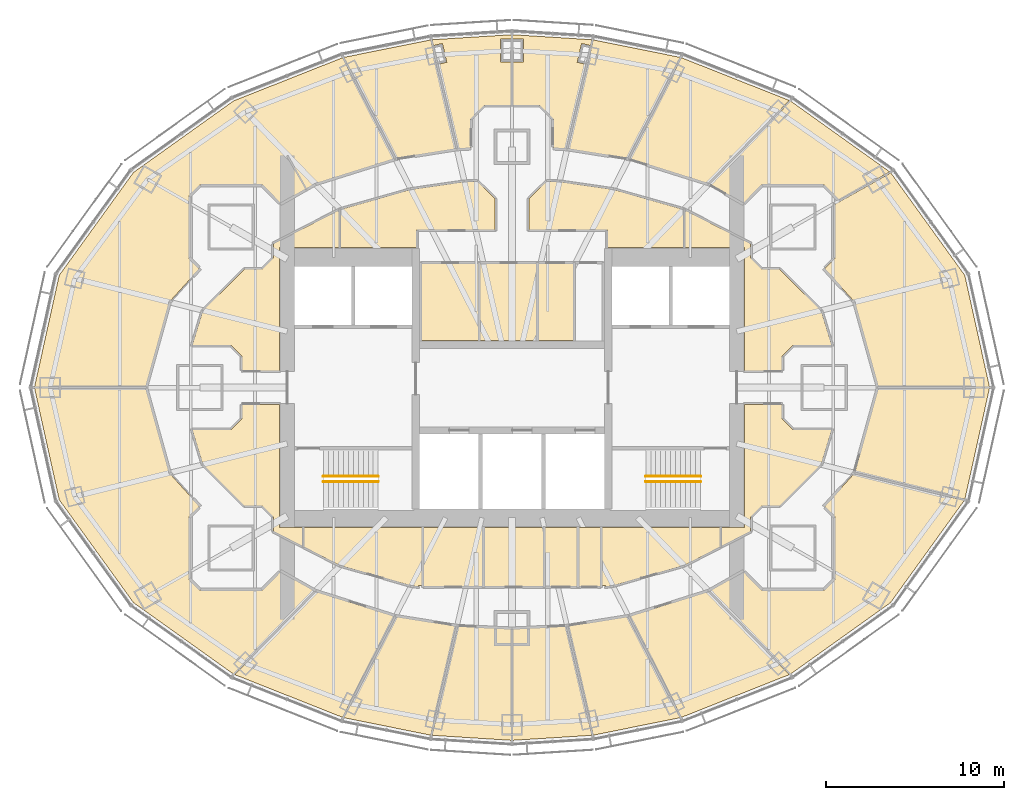
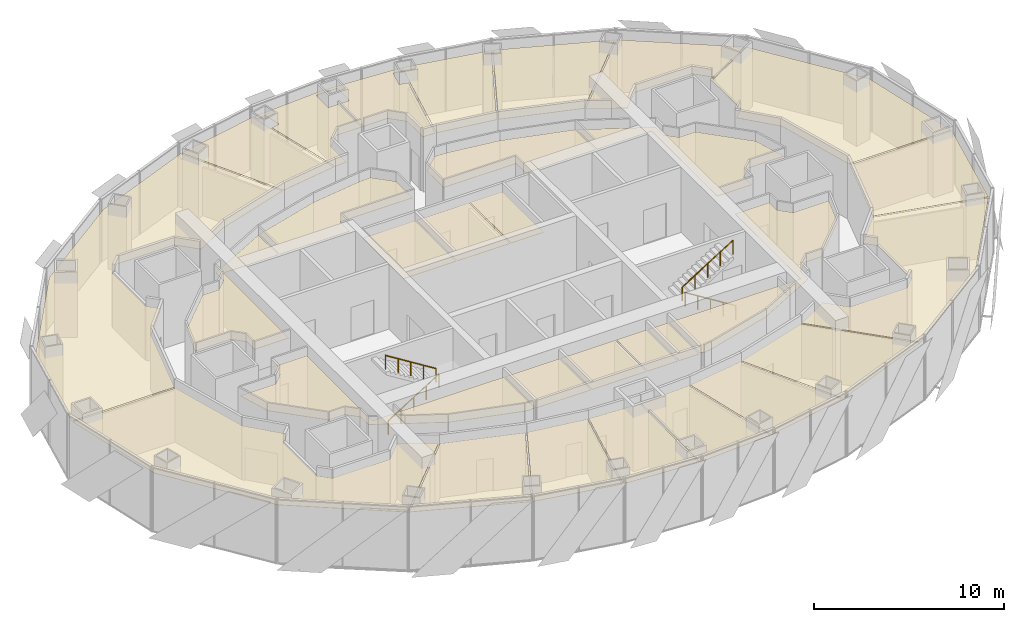
# One storey, part 18 of 18: 32 coverings, 4 railings.
"""IFC4 building model written with IfcOpenShell, lengths in metres."""

from ifc_helpers import new_model, si_unit, direction, frame, origin, origin_2d, place, context, subcontext, project, spatial, polyline, circle, outline, extrude, material, layer, layer_set, type_object, element, save


model = new_model("IFC4")

# Units and contexts
model_context = context("Model", 3, precision=1e-05, world=origin(), true_north=direction((0.0, 1.0)))
body_context = subcontext(model_context, "Body", "Model", "MODEL_VIEW")
ifc_project = project(units=[si_unit("LENGTHUNIT", "METRE"), si_unit("AREAUNIT", "SQUARE_METRE"), si_unit("VOLUMEUNIT", "CUBIC_METRE"), si_unit("PLANEANGLEUNIT", "RADIAN"), si_unit("MASSUNIT", "GRAM", prefix="KILO")], contexts=[model_context])

# Site, building, storey
site_placement = place(None, origin())
site = spatial("IfcSite", under=ifc_project, at=site_placement, CompositionType="ELEMENT")
building_placement = place(site_placement, origin())
building = spatial("IfcBuilding", under=site, at=building_placement, Name="Lantaw Convention Tower", CompositionType="ELEMENT")
storey_placement = place(building_placement, frame((0.0, 0.0, 236.800048828125)))
storey = spatial("IfcBuildingStorey", under=building, at=storey_placement, Name="L55", CompositionType="ELEMENT", Elevation=236.800048828125)

# Railings
ifc_material_1 = material(Name="Stainless steel", Category="steel")
railing_type = type_object("IfcRailingType", Name="Stair handrail", PredefinedType="HANDRAIL", material=ifc_material_1)
railing_1_placement = place(storey_placement, frame((-10.580078125, -5.280029296875, 0.175048828125)))
element("IfcRailing", 1, at=railing_1_placement, inside=storey, type_object=railing_type, Name="Stair handrail S1", PredefinedType="HANDRAIL", context=body_context, shape_type="SweptSolid", body=[
    extrude(circle(Radius=0.02392578125, at=origin_2d()), frame((0.0, 0.0, 0.8759765625), z_axis=(0.848028513186, 0.0, 0.529950602248), x_axis=(0.0, 1.0, 0.0)), (0.0, 0.0, 1.0), 3.632080078125),
    extrude(circle(Radius=0.02099609375, at=origin_2d()), origin(), (0.0, 0.0, 1.0), 0.851806640625),
    extrude(circle(Radius=0.02099609375, at=origin_2d()), frame((0.77001953125, 0.0, 0.481201171875)), (0.0, 0.0, 1.0), 0.851806640625),
    extrude(circle(Radius=0.02099609375, at=origin_2d()), frame((1.5400390625, 0.0, 0.96240234375)), (0.0, 0.0, 1.0), 0.851806640625),
    extrude(circle(Radius=0.02099609375, at=origin_2d()), frame((2.31005859375, 0.0, 1.443603515625)), (0.0, 0.0, 1.0), 0.851806640625),
    extrude(circle(Radius=0.02099609375, at=origin_2d()), frame((3.080078125, 0.0, 1.9248046875)), (0.0, 0.0, 1.0), 0.851806640625),
])
railing_2_placement = place(storey_placement, frame((-7.5, -4.97998046875, 2.27490234375)))
element("IfcRailing", 2, at=railing_2_placement, inside=storey, type_object=railing_type, Name="Stair handrail S1", PredefinedType="HANDRAIL", context=body_context, shape_type="SweptSolid", body=[
    extrude(circle(Radius=0.02392578125, at=origin_2d()), frame((0.0, 0.0, 0.8759765625), z_axis=(-0.847998304005, 0.0, 0.529998940003), x_axis=(0.0, -1.0, 0.0)), (0.0, 0.0, 1.0), 3.632080078125),
    extrude(circle(Radius=0.02099609375, at=origin_2d()), origin(), (0.0, 0.0, 1.0), 0.851806640625),
    extrude(circle(Radius=0.02099609375, at=origin_2d()), frame((-0.77001953125, 0.0, 0.481201171875)), (0.0, 0.0, 1.0), 0.851806640625),
    extrude(circle(Radius=0.02099609375, at=origin_2d()), frame((-1.5400390625, 0.0, 0.96240234375)), (0.0, 0.0, 1.0), 0.851806640625),
    extrude(circle(Radius=0.02099609375, at=origin_2d()), frame((-2.31005859375, 0.0, 1.44384765625)), (0.0, 0.0, 1.0), 0.851806640625),
    extrude(circle(Radius=0.02099609375, at=origin_2d()), frame((-3.080078125, 0.0, 1.925048828125)), (0.0, 0.0, 1.0), 0.851806640625),
])
railing_3_placement = place(storey_placement, frame((10.580078125, -5.280029296875, 0.175048828125)))
element("IfcRailing", 3, at=railing_3_placement, inside=storey, type_object=railing_type, Name="Stair handrail S2", PredefinedType="HANDRAIL", context=body_context, shape_type="SweptSolid", body=[
    extrude(circle(Radius=0.02392578125, at=origin_2d()), frame((0.0, 0.0, 0.8759765625), z_axis=(-0.848028513186, 0.0, 0.529950602248), x_axis=(0.0, -1.0, 0.0)), (0.0, 0.0, 1.0), 3.632080078125),
    extrude(circle(Radius=0.02099609375, at=origin_2d()), origin(), (0.0, 0.0, 1.0), 0.851806640625),
    extrude(circle(Radius=0.02099609375, at=origin_2d()), frame((-0.77001953125, 0.0, 0.481201171875)), (0.0, 0.0, 1.0), 0.851806640625),
    extrude(circle(Radius=0.02099609375, at=origin_2d()), frame((-1.5400390625, 0.0, 0.96240234375)), (0.0, 0.0, 1.0), 0.851806640625),
    extrude(circle(Radius=0.02099609375, at=origin_2d()), frame((-2.31005859375, 0.0, 1.443603515625)), (0.0, 0.0, 1.0), 0.851806640625),
    extrude(circle(Radius=0.02099609375, at=origin_2d()), frame((-3.080078125, 0.0, 1.9248046875)), (0.0, 0.0, 1.0), 0.851806640625),
])
railing_4_placement = place(storey_placement, frame((7.5, -4.97998046875, 2.27490234375)))
element("IfcRailing", 4, at=railing_4_placement, inside=storey, type_object=railing_type, Name="Stair handrail S2", PredefinedType="HANDRAIL", context=body_context, shape_type="SweptSolid", body=[
    extrude(circle(Radius=0.02392578125, at=origin_2d()), frame((0.0, 0.0, 0.8759765625), z_axis=(0.847998304005, 0.0, 0.529998940003), x_axis=(0.0, 1.0, 0.0)), (0.0, 0.0, 1.0), 3.632080078125),
    extrude(circle(Radius=0.02099609375, at=origin_2d()), origin(), (0.0, 0.0, 1.0), 0.851806640625),
    extrude(circle(Radius=0.02099609375, at=origin_2d()), frame((0.77001953125, 0.0, 0.481201171875)), (0.0, 0.0, 1.0), 0.851806640625),
    extrude(circle(Radius=0.02099609375, at=origin_2d()), frame((1.5400390625, 0.0, 0.96240234375)), (0.0, 0.0, 1.0), 0.851806640625),
    extrude(circle(Radius=0.02099609375, at=origin_2d()), frame((2.31005859375, 0.0, 1.44384765625)), (0.0, 0.0, 1.0), 0.851806640625),
    extrude(circle(Radius=0.02099609375, at=origin_2d()), frame((3.080078125, 0.0, 1.925048828125)), (0.0, 0.0, 1.0), 0.851806640625),
])

# Coverings
ifc_material_2 = material(Name="Gypsum board on steel suspension grid", Category="steel")
ifc_layer = layer(ifc_material_2, 0.02001953125)
ifc_layer_set = layer_set([ifc_layer], Name="Suspended ceiling")
covering_type = type_object("IfcCoveringType", Name="Suspended ceiling", PredefinedType="CEILING", material=ifc_layer_set)
covering_1_placement = place(storey_placement, frame((0.0, 0.0, 3.449951171875)))
element("IfcCovering", 5, at=covering_1_placement, inside=storey, type_object=covering_type, Name="Female WC ceiling", PredefinedType="CEILING", context=body_context, shape_type="SweptSolid", body=[
    extrude(outline(polyline([(-5.080078125, 2.639892578125), (-1.88330078125, 2.639892578125), (-1.88330078125, 6.9599609375), (-5.080078125, 6.9599609375), (-5.080078125, 2.639892578125)])), origin(), (0.0, 0.0, 1.0), 0.02001953125),
])
covering_2_placement = place(storey_placement, frame((0.0, 0.0, 3.449951171875)))
element("IfcCovering", 6, at=covering_2_placement, inside=storey, type_object=covering_type, Name="Male WC ceiling", PredefinedType="CEILING", context=body_context, shape_type="SweptSolid", body=[
    extrude(outline(polyline([(-1.80322265625, 2.639892578125), (1.3935546875, 2.639892578125), (1.3935546875, 6.9599609375), (-1.80322265625, 6.9599609375), (-1.80322265625, 2.639892578125)])), origin(), (0.0, 0.0, 1.0), 0.02001953125),
])
covering_3_placement = place(storey_placement, frame((0.0, 0.0, 3.449951171875)))
element("IfcCovering", 7, at=covering_3_placement, inside=storey, type_object=covering_type, Name="Accessible WC ceiling", PredefinedType="CEILING", context=body_context, shape_type="SweptSolid", body=[
    extrude(outline(polyline([(1.4736328125, 2.639892578125), (3.441650390625, 2.639892578125), (3.441650390625, 6.9599609375), (1.4736328125, 6.9599609375), (1.4736328125, 2.639892578125)])), origin(), (0.0, 0.0, 1.0), 0.02001953125),
])
covering_4_placement = place(storey_placement, frame((0.0, 0.0, 3.449951171875)))
element("IfcCovering", 8, at=covering_4_placement, inside=storey, type_object=covering_type, Name="Female WC ceiling", PredefinedType="CEILING", context=body_context, shape_type="SweptSolid", body=[
    extrude(outline(polyline([(-4.9599609375, -11.159912109375), (-1.639892578125, -11.159912109375), (-1.639892578125, -7.840087890625), (-4.9599609375, -7.840087890625), (-4.9599609375, -11.159912109375)])), origin(), (0.0, 0.0, 1.0), 0.02001953125),
])
covering_5_placement = place(storey_placement, frame((0.0, 0.0, 3.449951171875)))
element("IfcCovering", 9, at=covering_5_placement, inside=storey, type_object=covering_type, Name="Male WC ceiling", PredefinedType="CEILING", context=body_context, shape_type="SweptSolid", body=[
    extrude(outline(polyline([(-1.56005859375, -11.159912109375), (1.760009765625, -11.159912109375), (1.760009765625, -7.840087890625), (-1.56005859375, -7.840087890625), (-1.56005859375, -11.159912109375)])), origin(), (0.0, 0.0, 1.0), 0.02001953125),
])
covering_6_placement = place(storey_placement, frame((0.0, 0.0, 3.449951171875)))
element("IfcCovering", 10, at=covering_6_placement, inside=storey, type_object=covering_type, Name="Accessible WC ceiling", PredefinedType="CEILING", context=body_context, shape_type="SweptSolid", body=[
    extrude(outline(polyline([(1.840087890625, -11.159912109375), (3.659912109375, -11.159912109375), (3.659912109375, -7.840087890625), (1.840087890625, -7.840087890625), (1.840087890625, -11.159912109375)])), origin(), (0.0, 0.0, 1.0), 0.02001953125),
])
covering_7_placement = place(storey_placement, frame((0.0, 0.0, 3.449951171875)))
element("IfcCovering", 11, at=covering_7_placement, inside=storey, type_object=covering_type, Name="Pantry ceiling", PredefinedType="CEILING", context=body_context, shape_type="SweptSolid", body=[
    extrude(outline(polyline([(3.739990234375, -11.159912109375), (4.9599609375, -11.159912109375), (4.9599609375, -7.840087890625), (3.739990234375, -7.840087890625), (3.739990234375, -11.159912109375)])), origin(), (0.0, 0.0, 1.0), 0.02001953125),
])
covering_8_placement = place(storey_placement, frame((0.0, 0.0, 3.449951171875)))
element("IfcCovering", 12, at=covering_8_placement, inside=storey, type_object=covering_type, Name="Meeting room ceiling", PredefinedType="CEILING", context=body_context, shape_type="SweptSolid", body=[
    extrude(outline(polyline([(-13.385009765625, -8.062255859375), (-11.75, -8.901611328125), (-11.75, -7.840087890625), (-13.0400390625, -7.840087890625), (-13.0400390625, -0.93994140625), (-15.135009765625, -0.93994140625), (-15.135009765625, -1.7412109375), (-15.7587890625, -2.364990234375), (-17.932861328125, -2.364990234375), (-17.336181640625, -4.31005859375), (-15.008056640625, -6.635009765625), (-14.0087890625, -6.635009765625), (-13.385009765625, -7.2587890625), (-13.385009765625, -8.062255859375)])), origin(), (0.0, 0.0, 1.0), 0.02001953125),
])
covering_9_placement = place(storey_placement, frame((0.0, 0.0, 3.449951171875)))
element("IfcCovering", 13, at=covering_9_placement, inside=storey, type_object=covering_type, Name="Project room ceiling", PredefinedType="CEILING", context=body_context, shape_type="SweptSolid", body=[
    extrude(outline(polyline([(-5.0400390625, -7.840087890625), (-11.669921875, -7.840087890625), (-11.669921875, -8.942626953125), (-9.65576171875, -9.9765625), (-5.67138671875, -11.108154296875), (-5.239990234375, -11.170166015625), (-5.239990234375, -11.110107421875), (-5.0400390625, -11.110107421875), (-5.0400390625, -7.840087890625)])), origin(), (0.0, 0.0, 1.0), 0.02001953125),
])
covering_10_placement = place(storey_placement, frame((0.0, 0.0, 3.449951171875)))
element("IfcCovering", 14, at=covering_10_placement, inside=storey, type_object=covering_type, Name="Tenant storage room ceiling", PredefinedType="CEILING", context=body_context, shape_type="SweptSolid", body=[
    extrude(outline(polyline([(11.669921875, -7.840087890625), (5.0400390625, -7.840087890625), (5.0400390625, -11.110107421875), (5.239990234375, -11.110107421875), (5.239990234375, -11.170166015625), (5.67138671875, -11.108154296875), (9.65576171875, -9.9765625), (11.669921875, -8.942626953125), (11.669921875, -7.840087890625)])), origin(), (0.0, 0.0, 1.0), 0.02001953125),
])
covering_11_placement = place(storey_placement, frame((0.0, 0.0, 3.449951171875)))
element("IfcCovering", 15, at=covering_11_placement, inside=storey, type_object=covering_type, Name="Meeting room ceiling", PredefinedType="CEILING", context=body_context, shape_type="SweptSolid", body=[
    extrude(outline(polyline([(15.135009765625, -0.93994140625), (13.0400390625, -0.93994140625), (13.0400390625, -7.840087890625), (11.75, -7.840087890625), (11.75, -8.901611328125), (13.385009765625, -8.062255859375), (13.385009765625, -7.2587890625), (14.0087890625, -6.635009765625), (15.008056640625, -6.635009765625), (17.336181640625, -4.31005859375), (17.932861328125, -2.364990234375), (15.7587890625, -2.364990234375), (15.135009765625, -1.7412109375), (15.135009765625, -0.93994140625)])), origin(), (0.0, 0.0, 1.0), 0.02001953125),
])
covering_12_placement = place(storey_placement, frame((0.0, 0.0, 3.449951171875)))
element("IfcCovering", 16, at=covering_12_placement, inside=storey, type_object=covering_type, Name="Copy and print room ceiling", PredefinedType="CEILING", context=body_context, shape_type="SweptSolid", body=[
    extrude(outline(polyline([(0.93994140625, 8.840087890625), (5.360107421875, 8.840087890625), (5.360107421875, 7.840087890625), (9.6201171875, 7.840087890625), (9.6201171875, 9.98681640625), (5.67138671875, 11.108154296875), (2.669677734375, 11.5400390625), (1.9462890625, 11.572509765625), (1.548828125, 11.175048828125), (1.53662109375, 11.175048828125), (0.93994140625, 10.577392578125), (0.93994140625, 8.840087890625)])), origin(), (0.0, 0.0, 1.0), 0.02001953125),
])
covering_13_placement = place(storey_placement, frame((0.0, 0.0, 3.449951171875)))
element("IfcCovering", 17, at=covering_13_placement, inside=storey, type_object=covering_type, Name="Project room ceiling", PredefinedType="CEILING", context=body_context, shape_type="SweptSolid", body=[
    extrude(outline(polyline([(13.385009765625, 8.06201171875), (9.699951171875, 9.95166015625), (9.699951171875, 7.840087890625), (13.0400390625, 7.840087890625), (13.0400390625, 0.93994140625), (15.135009765625, 0.93994140625), (15.135009765625, 1.7412109375), (15.7587890625, 2.364990234375), (17.932861328125, 2.364990234375), (17.336181640625, 4.31005859375), (15.008056640625, 6.635009765625), (14.0087890625, 6.635009765625), (13.385009765625, 7.2587890625), (13.385009765625, 8.06201171875)])), origin(), (0.0, 0.0, 1.0), 0.02001953125),
])
covering_14_placement = place(storey_placement, frame((0.0, 0.0, 3.449951171875)))
element("IfcCovering", 18, at=covering_14_placement, inside=storey, type_object=covering_type, Name="Meeting room ceiling", PredefinedType="CEILING", context=body_context, shape_type="SweptSolid", body=[
    extrude(outline(polyline([(-15.135009765625, 1.7412109375), (-15.135009765625, 0.93994140625), (-13.0400390625, 0.93994140625), (-13.0400390625, 7.840087890625), (-9.699951171875, 7.840087890625), (-9.699951171875, 9.95166015625), (-13.385009765625, 8.06201171875), (-13.385009765625, 7.2587890625), (-14.0087890625, 6.635009765625), (-15.008056640625, 6.635009765625), (-17.336181640625, 4.31005859375), (-17.932861328125, 2.364990234375), (-15.7587890625, 2.364990234375), (-15.135009765625, 1.7412109375)])), origin(), (0.0, 0.0, 1.0), 0.02001953125),
])
covering_15_placement = place(storey_placement, frame((0.0, 0.0, 3.449951171875)))
element("IfcCovering", 19, at=covering_15_placement, inside=storey, type_object=covering_type, Name="Comms room ceiling", PredefinedType="CEILING", context=body_context, shape_type="SweptSolid", body=[
    extrude(outline(polyline([(-1.9462890625, 11.572509765625), (-2.669677734375, 11.5400390625), (-5.67138671875, 11.108154296875), (-9.6201171875, 9.98681640625), (-9.6201171875, 7.840087890625), (-5.360107421875, 7.840087890625), (-5.360107421875, 8.840087890625), (-0.93994140625, 8.840087890625), (-0.93994140625, 10.577392578125), (-1.53662109375, 11.175048828125), (-1.548828125, 11.175048828125), (-1.9462890625, 11.572509765625)])), origin(), (0.0, 0.0, 1.0), 0.02001953125),
])
covering_16_placement = place(storey_placement, frame((0.0, 0.0, 3.449951171875)))
element("IfcCovering", 20, at=covering_16_placement, inside=storey, type_object=covering_type, Name="Reception ceiling", PredefinedType="CEILING", context=body_context, shape_type="SweptSolid", body=[
    extrude(outline(polyline([(17.518798828125, 6.66259765625), (19.2080078125, 4.800048828125), (20.530517578125, 0.0400390625), (26.77099609375, 0.0400390625), (25.388916015625, 6.290283203125), (21.241455078125, 12.0380859375), (18.114990234375, 10.28076171875), (18.114990234375, 7.2587890625), (17.518798828125, 6.66259765625)])), origin(), (0.0, 0.0, 1.0), 0.02001953125),
])
covering_17_placement = place(storey_placement, frame((0.0, 0.0, 3.449951171875)))
element("IfcCovering", 21, at=covering_17_placement, inside=storey, type_object=covering_type, Name="Private office ceiling", PredefinedType="CEILING", context=body_context, shape_type="SweptSolid", body=[
    extrude(outline(polyline([(13.385009765625, 10.72900390625), (13.385009765625, 10.7412109375), (14.0087890625, 11.364990234375), (17.4912109375, 11.364990234375), (18.114990234375, 10.7412109375), (18.114990234375, 10.72900390625), (18.34375, 10.501220703125), (21.178466796875, 12.094482421875), (15.62890625, 16.059326171875), (11.065673828125, 11.400634765625), (12.973388671875, 10.318115234375), (13.385009765625, 10.72900390625)])), origin(), (0.0, 0.0, 1.0), 0.02001953125),
])
covering_18_placement = place(storey_placement, frame((0.0, 0.0, 3.449951171875)))
element("IfcCovering", 22, at=covering_18_placement, inside=storey, type_object=covering_type, Name="Private office ceiling", PredefinedType="CEILING", context=body_context, shape_type="SweptSolid", body=[
    extrude(outline(polyline([(10.9892578125, 11.43701171875), (15.553466796875, 16.096923828125), (9.503173828125, 18.49267578125), (6.57861328125, 12.82275390625), (10.9892578125, 11.43701171875)])), origin(), (0.0, 0.0, 1.0), 0.02001953125),
])
covering_19_placement = place(storey_placement, frame((0.0, 0.0, 3.449951171875)))
element("IfcCovering", 23, at=covering_19_placement, inside=storey, type_object=covering_type, Name="Private office ceiling", PredefinedType="CEILING", context=body_context, shape_type="SweptSolid", body=[
    extrude(outline(polyline([(6.4990234375, 12.8427734375), (9.42431640625, 18.514404296875), (4.55859375, 19.492919921875), (3.130126953125, 13.37939453125), (6.4990234375, 12.8427734375)])), origin(), (0.0, 0.0, 1.0), 0.02001953125),
])
covering_20_placement = place(storey_placement, frame((0.0, 0.0, 3.449951171875)))
element("IfcCovering", 24, at=covering_20_placement, inside=storey, type_object=covering_type, Name="Private office ceiling", PredefinedType="CEILING", context=body_context, shape_type="SweptSolid", body=[
    extrude(outline(polyline([(2.324951171875, 15.048828125), (2.324951171875, 13.42431640625), (3.050048828125, 13.38818359375), (4.156005859375, 18.121826171875), (3.65625, 18.2373046875), (3.899169921875, 19.28955078125), (4.40185546875, 19.173583984375), (4.478759765625, 19.5029296875), (0.0400390625, 19.781982421875), (0.0400390625, 19.5400390625), (0.639892578125, 19.5400390625), (0.639892578125, 18.260009765625), (0.0400390625, 18.260009765625), (0.0400390625, 15.824951171875), (1.548828125, 15.824951171875), (2.324951171875, 15.048828125)])), origin(), (0.0, 0.0, 1.0), 0.02001953125),
])
covering_21_placement = place(storey_placement, frame((0.0, 0.0, 3.449951171875)))
element("IfcCovering", 25, at=covering_21_placement, inside=storey, type_object=covering_type, Name="Private office ceiling", PredefinedType="CEILING", context=body_context, shape_type="SweptSolid", body=[
    extrude(outline(polyline([(-4.156005859375, 18.121826171875), (-3.050048828125, 13.38818359375), (-2.324951171875, 13.42431640625), (-2.324951171875, 15.048828125), (-1.548828125, 15.824951171875), (-0.0400390625, 15.824951171875), (-0.0400390625, 18.260009765625), (-0.639892578125, 18.260009765625), (-0.639892578125, 19.5400390625), (-0.0400390625, 19.5400390625), (-0.0400390625, 19.781982421875), (-4.478759765625, 19.5029296875), (-4.40185546875, 19.173583984375), (-3.899169921875, 19.28955078125), (-3.65625, 18.2373046875), (-4.156005859375, 18.121826171875)])), origin(), (0.0, 0.0, 1.0), 0.02001953125),
])
covering_22_placement = place(storey_placement, frame((0.0, 0.0, 3.449951171875)))
element("IfcCovering", 26, at=covering_22_placement, inside=storey, type_object=covering_type, Name="Private office ceiling", PredefinedType="CEILING", context=body_context, shape_type="SweptSolid", body=[
    extrude(outline(polyline([(-3.130126953125, 13.37939453125), (-4.55859375, 19.492919921875), (-9.42431640625, 18.514404296875), (-6.4990234375, 12.8427734375), (-3.130126953125, 13.37939453125)])), origin(), (0.0, 0.0, 1.0), 0.02001953125),
])
covering_23_placement = place(storey_placement, frame((0.0, 0.0, 3.449951171875)))
element("IfcCovering", 27, at=covering_23_placement, inside=storey, type_object=covering_type, Name="Open office ceiling", PredefinedType="CEILING", context=body_context, shape_type="SweptSolid", body=[
    extrude(outline(polyline([(-17.518798828125, 6.66259765625), (-18.114990234375, 7.2587890625), (-18.114990234375, 10.7412109375), (-17.4912109375, 11.364990234375), (-14.0087890625, 11.364990234375), (-13.385009765625, 10.7412109375), (-13.385009765625, 10.72900390625), (-12.973388671875, 10.318115234375), (-11.016845703125, 11.428466796875), (-6.57861328125, 12.82275390625), (-9.503173828125, 18.49267578125), (-15.60498046875, 16.076416015625), (-21.224365234375, 12.061767578125), (-25.388916015625, 6.290283203125), (-26.77099609375, 0.0400390625), (-20.530517578125, 0.0400390625), (-19.2080078125, 4.800048828125), (-17.518798828125, 6.66259765625)])), origin(), (0.0, 0.0, 1.0), 0.02001953125),
])
covering_24_placement = place(storey_placement, frame((0.0, 0.0, 3.449951171875)))
element("IfcCovering", 28, at=covering_24_placement, inside=storey, type_object=covering_type, Name="Boardroom ceiling", PredefinedType="CEILING", context=body_context, shape_type="SweptSolid", body=[
    extrude(outline(polyline([(-17.518798828125, -6.66259765625), (-19.2080078125, -4.800048828125), (-20.530517578125, -0.0400390625), (-26.77099609375, -0.0400390625), (-25.388916015625, -6.290283203125), (-21.224365234375, -12.061767578125), (-15.62890625, -16.059326171875), (-11.065673828125, -11.400634765625), (-12.973388671875, -10.318115234375), (-13.385009765625, -10.72900390625), (-13.385009765625, -10.7412109375), (-14.0087890625, -11.364990234375), (-17.4912109375, -11.364990234375), (-18.114990234375, -10.7412109375), (-18.114990234375, -7.2587890625), (-17.518798828125, -6.66259765625)])), origin(), (0.0, 0.0, 1.0), 0.02001953125),
])
covering_25_placement = place(storey_placement, frame((0.0, 0.0, 3.449951171875)))
element("IfcCovering", 29, at=covering_25_placement, inside=storey, type_object=covering_type, Name="Private office ceiling", PredefinedType="CEILING", context=body_context, shape_type="SweptSolid", body=[
    extrude(outline(polyline([(-10.9892578125, -11.43701171875), (-15.553466796875, -16.096923828125), (-9.503173828125, -18.49267578125), (-6.57861328125, -12.82275390625), (-10.9892578125, -11.43701171875)])), origin(), (0.0, 0.0, 1.0), 0.02001953125),
])
covering_26_placement = place(storey_placement, frame((0.0, 0.0, 3.449951171875)))
element("IfcCovering", 30, at=covering_26_placement, inside=storey, type_object=covering_type, Name="Private office ceiling", PredefinedType="CEILING", context=body_context, shape_type="SweptSolid", body=[
    extrude(outline(polyline([(-6.4990234375, -12.8427734375), (-9.42431640625, -18.514404296875), (-4.55859375, -19.492919921875), (-3.130126953125, -13.37939453125), (-6.4990234375, -12.8427734375)])), origin(), (0.0, 0.0, 1.0), 0.02001953125),
])
covering_27_placement = place(storey_placement, frame((0.0, 0.0, 3.449951171875)))
element("IfcCovering", 31, at=covering_27_placement, inside=storey, type_object=covering_type, Name="Private office ceiling", PredefinedType="CEILING", context=body_context, shape_type="SweptSolid", body=[
    extrude(outline(polyline([(-3.050048828125, -13.38818359375), (-4.478759765625, -19.5029296875), (-0.0400390625, -19.781982421875), (-0.0400390625, -13.5380859375), (-3.050048828125, -13.38818359375)])), origin(), (0.0, 0.0, 1.0), 0.02001953125),
])
covering_28_placement = place(storey_placement, frame((0.0, 0.0, 3.449951171875)))
element("IfcCovering", 32, at=covering_28_placement, inside=storey, type_object=covering_type, Name="Private office ceiling", PredefinedType="CEILING", context=body_context, shape_type="SweptSolid", body=[
    extrude(outline(polyline([(0.0400390625, -13.5380859375), (0.0400390625, -19.781982421875), (4.478759765625, -19.5029296875), (3.050048828125, -13.38818359375), (0.0400390625, -13.5380859375)])), origin(), (0.0, 0.0, 1.0), 0.02001953125),
])
covering_29_placement = place(storey_placement, frame((0.0, 0.0, 3.449951171875)))
element("IfcCovering", 33, at=covering_29_placement, inside=storey, type_object=covering_type, Name="Private office ceiling", PredefinedType="CEILING", context=body_context, shape_type="SweptSolid", body=[
    extrude(outline(polyline([(3.130126953125, -13.37939453125), (4.55859375, -19.492919921875), (9.42431640625, -18.514404296875), (6.4990234375, -12.8427734375), (3.130126953125, -13.37939453125)])), origin(), (0.0, 0.0, 1.0), 0.02001953125),
])
covering_30_placement = place(storey_placement, frame((0.0, 0.0, 3.449951171875)))
element("IfcCovering", 34, at=covering_30_placement, inside=storey, type_object=covering_type, Name="Private office ceiling", PredefinedType="CEILING", context=body_context, shape_type="SweptSolid", body=[
    extrude(outline(polyline([(6.57861328125, -12.82275390625), (9.503173828125, -18.49267578125), (15.553466796875, -16.096923828125), (10.9892578125, -11.43701171875), (6.57861328125, -12.82275390625)])), origin(), (0.0, 0.0, 1.0), 0.02001953125),
])
covering_31_placement = place(storey_placement, frame((0.0, 0.0, 3.449951171875)))
element("IfcCovering", 35, at=covering_31_placement, inside=storey, type_object=covering_type, Name="Open office ceiling", PredefinedType="CEILING", context=body_context, shape_type="SweptSolid", body=[
    extrude(outline(polyline([(13.385009765625, -10.7412109375), (13.385009765625, -10.72900390625), (12.973388671875, -10.318115234375), (11.065673828125, -11.400634765625), (15.62890625, -16.059326171875), (21.224365234375, -12.061767578125), (25.359130859375, -6.331787109375), (19.185546875, -4.82470703125), (17.518798828125, -6.66259765625), (18.114990234375, -7.2587890625), (18.114990234375, -10.7412109375), (17.4912109375, -11.364990234375), (14.0087890625, -11.364990234375), (13.385009765625, -10.7412109375)])), origin(), (0.0, 0.0, 1.0), 0.02001953125),
])
covering_32_placement = place(storey_placement, frame((0.0, 0.0, 3.449951171875)))
element("IfcCovering", 36, at=covering_32_placement, inside=storey, type_object=covering_type, Name="Pantry ceiling", PredefinedType="CEILING", context=body_context, shape_type="SweptSolid", body=[
    extrude(outline(polyline([(19.221435546875, -4.7509765625), (25.39599609375, -6.258544921875), (26.77099609375, -0.0400390625), (20.530517578125, -0.0400390625), (19.221435546875, -4.7509765625)])), origin(), (0.0, 0.0, 1.0), 0.02001953125),
])

save(model, "model.ifc")
